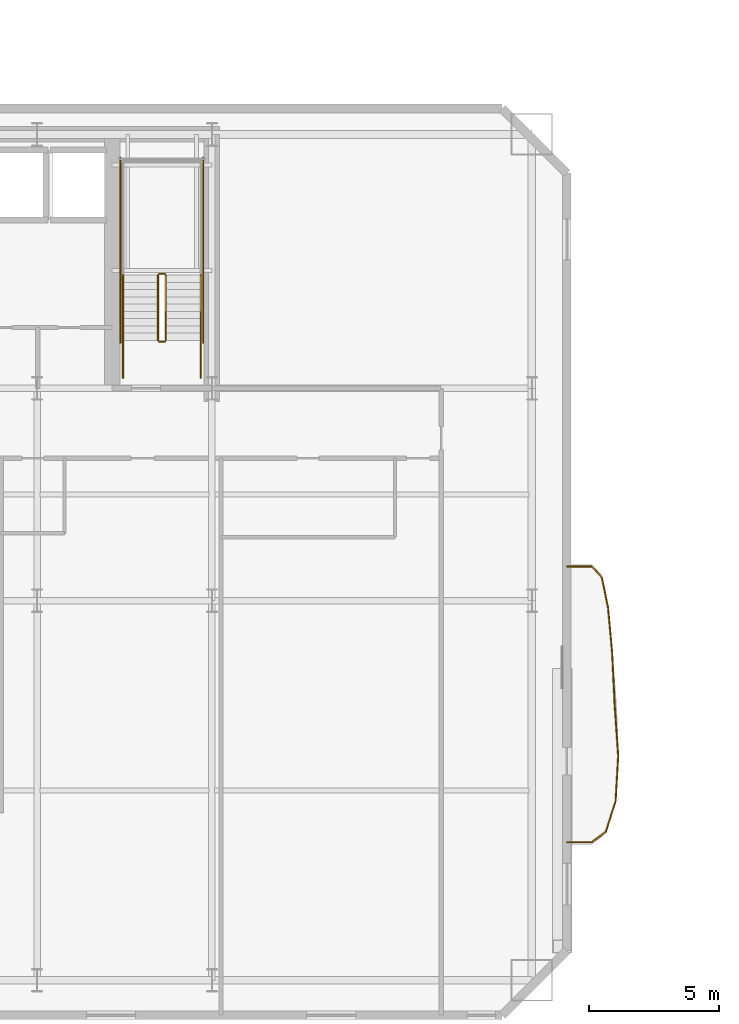
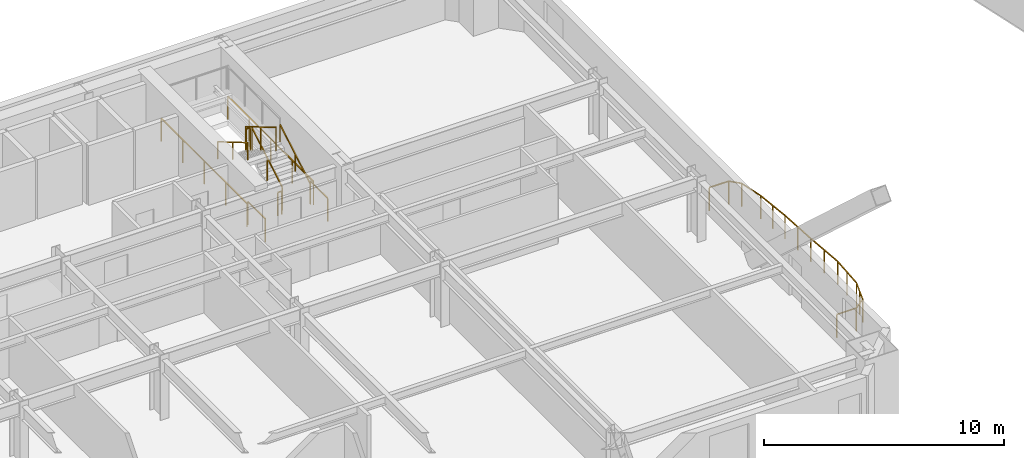
# One storey, part 13 of 17: 20 railings.
"""IFC4 building model written with IfcOpenShell, lengths in metres."""

from ifc_helpers import new_model, si_unit, direction, frame, origin, origin_2d, place, context, subcontext, project, spatial, rectangle, extrude, material, type_object, element, save


model = new_model("IFC4")

# Units and contexts
model_context = context("Model", 3, precision=1e-05, world=origin(), true_north=direction((0.0, 1.0)))
body_context = subcontext(model_context, "Body", "Model", "MODEL_VIEW")
ifc_project = project(units=[si_unit("LENGTHUNIT", "METRE"), si_unit("AREAUNIT", "SQUARE_METRE"), si_unit("VOLUMEUNIT", "CUBIC_METRE"), si_unit("PLANEANGLEUNIT", "RADIAN"), si_unit("MASSUNIT", "GRAM", prefix="KILO")], contexts=[model_context])

# Site, building, storey
site_placement = place(None, origin())
site = spatial("IfcSite", under=ifc_project, at=site_placement, CompositionType="ELEMENT")
building_placement = place(site_placement, origin())
building = spatial("IfcBuilding", under=site, at=building_placement, Name="Haevon Station Towers", CompositionType="ELEMENT")
storey_placement = place(building_placement, frame((0.0, 0.0, 40.5)))
storey = spatial("IfcBuildingStorey", under=building, at=storey_placement, Name="L09", CompositionType="ELEMENT", Elevation=40.5)

# Railings
ifc_material = material(Name="Steel S355", Category="steel")
railing_type_1 = type_object("IfcRailingType", Name="GRD-EXT1200", PredefinedType="GUARDRAIL", material=ifc_material)
railing_1_placement = place(storey_placement, frame((64.723388671875, 20.677978515625, 0.0)))
element("IfcRailing", 1, at=railing_1_placement, inside=storey, type_object=railing_type_1, Name="L09 Perimeter Guardrail 1", PredefinedType="GUARDRAIL", context=body_context, shape_type="SweptSolid", body=[
    extrude(rectangle(XDim=0.048095703125, YDim=0.048095703125, at=origin_2d()), frame((0.0, 0.0, 1.17578125), z_axis=(0.999997857851, 0.002069853263, 0.0), x_axis=(-0.002069853263, 0.999997857851, 0.0)), (0.0, 0.0, 1.0), 0.943603515625),
    extrude(rectangle(XDim=0.0419921875, YDim=0.0419921875, at=origin_2d()), origin(), (0.0, 0.0, 1.0), 1.15185546875),
    extrude(rectangle(XDim=0.0419921875, YDim=0.0419921875, at=origin_2d()), frame((0.943603515625, 0.001953125, 0.0)), (0.0, 0.0, 1.0), 1.15185546875),
])
railing_2_placement = place(storey_placement, frame((65.6669921875, 20.679931640625, 0.0)))
element("IfcRailing", 2, at=railing_2_placement, inside=storey, type_object=railing_type_1, Name="L09 Perimeter Guardrail 2", PredefinedType="GUARDRAIL", context=body_context, shape_type="SweptSolid", body=[
    extrude(rectangle(XDim=0.048095703125, YDim=0.048095703125, at=origin_2d()), frame((0.0, 0.0, 1.17578125), z_axis=(0.798409676693, 0.602114597201, 0.0), x_axis=(-0.602114597201, 0.798409676693, 0.0)), (0.0, 0.0, 1.0), 0.682861328125),
    extrude(rectangle(XDim=0.0419921875, YDim=0.0419921875, at=origin_2d()), origin(), (0.0, 0.0, 1.0), 1.15185546875),
    extrude(rectangle(XDim=0.0419921875, YDim=0.0419921875, at=origin_2d()), frame((0.545166015625, 0.4111328125, 0.0)), (0.0, 0.0, 1.0), 1.15185546875),
])
railing_3_placement = place(storey_placement, frame((66.212158203125, 21.091064453125, 0.0)))
element("IfcRailing", 3, at=railing_3_placement, inside=storey, type_object=railing_type_1, Name="L09 Perimeter Guardrail 3", PredefinedType="GUARDRAIL", context=body_context, shape_type="SweptSolid", body=[
    extrude(rectangle(XDim=0.048095703125, YDim=0.048095703125, at=origin_2d()), frame((0.0, 0.0, 1.17578125), z_axis=(0.303187234273, 0.952931005359, 0.0), x_axis=(-0.952931005359, 0.303187234273, 0.0)), (0.0, 0.0, 1.0), 1.227294921875),
    extrude(rectangle(XDim=0.0419921875, YDim=0.0419921875, at=origin_2d()), origin(), (0.0, 0.0, 1.0), 1.15185546875),
    extrude(rectangle(XDim=0.0419921875, YDim=0.0419921875, at=origin_2d()), frame((0.18603515625, 0.584716796875, 0.0)), (0.0, 0.0, 1.0), 1.15185546875),
    extrude(rectangle(XDim=0.0419921875, YDim=0.0419921875, at=origin_2d()), frame((0.3720703125, 1.16943359375, 0.0)), (0.0, 0.0, 1.0), 1.15185546875),
])
railing_4_placement = place(storey_placement, frame((66.584228515625, 22.260498046875, 0.0)))
element("IfcRailing", 4, at=railing_4_placement, inside=storey, type_object=railing_type_1, Name="L09 Perimeter Guardrail 4", PredefinedType="GUARDRAIL", context=body_context, shape_type="SweptSolid", body=[
    extrude(rectangle(XDim=0.048095703125, YDim=0.048095703125, at=origin_2d()), frame((0.0, 0.0, 1.17578125), z_axis=(0.057716779897, 0.99833299721, 0.0), x_axis=(-0.99833299721, 0.057716779897, 0.0)), (0.0, 0.0, 1.0), 1.751220703125),
    extrude(rectangle(XDim=0.0419921875, YDim=0.0419921875, at=origin_2d()), origin(), (0.0, 0.0, 1.0), 1.15185546875),
    extrude(rectangle(XDim=0.0419921875, YDim=0.0419921875, at=origin_2d()), frame((0.050537109375, 0.8740234375, 0.0)), (0.0, 0.0, 1.0), 1.15185546875),
    extrude(rectangle(XDim=0.0419921875, YDim=0.0419921875, at=origin_2d()), frame((0.10107421875, 1.748291015625, 0.0)), (0.0, 0.0, 1.0), 1.15185546875),
])
railing_5_placement = place(storey_placement, frame((66.685302734375, 24.0087890625, 0.0)))
element("IfcRailing", 5, at=railing_5_placement, inside=storey, type_object=railing_type_1, Name="L09 Perimeter Guardrail 5", PredefinedType="GUARDRAIL", context=body_context, shape_type="SweptSolid", body=[
    extrude(rectangle(XDim=0.048095703125, YDim=0.048095703125, at=origin_2d()), frame((0.0, 0.0, 1.17578125), z_axis=(-0.069960576388, 0.99754975703, 0.0), x_axis=(-0.99754975703, -0.069960576388, 0.0)), (0.0, 0.0, 1.0), 1.99609375),
    extrude(rectangle(XDim=0.0419921875, YDim=0.0419921875, at=origin_2d()), origin(), (0.0, 0.0, 1.0), 1.15185546875),
    extrude(rectangle(XDim=0.0419921875, YDim=0.0419921875, at=origin_2d()), frame((-0.06982421875, 0.99560546875, 0.0)), (0.0, 0.0, 1.0), 1.15185546875),
    extrude(rectangle(XDim=0.0419921875, YDim=0.0419921875, at=origin_2d()), frame((-0.1396484375, 1.9912109375, 0.0)), (0.0, 0.0, 1.0), 1.15185546875),
])
railing_6_placement = place(storey_placement, frame((66.545654296875, 26.0, 0.0)))
element("IfcRailing", 6, at=railing_6_placement, inside=storey, type_object=railing_type_1, Name="L09 Perimeter Guardrail 6", PredefinedType="GUARDRAIL", context=body_context, shape_type="SweptSolid", body=[
    extrude(rectangle(XDim=0.048095703125, YDim=0.048095703125, at=origin_2d()), frame((0.0, 0.0, 1.17578125), z_axis=(-0.047454457012, 0.998873402644, 0.0), x_axis=(-0.998873402644, -0.047454457012, 0.0)), (0.0, 0.0, 1.0), 1.990966796875),
    extrude(rectangle(XDim=0.0419921875, YDim=0.0419921875, at=origin_2d()), origin(), (0.0, 0.0, 1.0), 1.15185546875),
    extrude(rectangle(XDim=0.0419921875, YDim=0.0419921875, at=origin_2d()), frame((-0.04736328125, 0.994384765625, 0.0)), (0.0, 0.0, 1.0), 1.15185546875),
    extrude(rectangle(XDim=0.0419921875, YDim=0.0419921875, at=origin_2d()), frame((-0.094482421875, 1.98876953125, 0.0)), (0.0, 0.0, 1.0), 1.15185546875),
])
railing_7_placement = place(storey_placement, frame((66.451171875, 27.98876953125, 0.0)))
element("IfcRailing", 7, at=railing_7_placement, inside=storey, type_object=railing_type_1, Name="L09 Perimeter Guardrail 7", PredefinedType="GUARDRAIL", context=body_context, shape_type="SweptSolid", body=[
    extrude(rectangle(XDim=0.048095703125, YDim=0.048095703125, at=origin_2d()), frame((0.0, 0.0, 1.17578125), z_axis=(-0.090310252801, 0.995913680114, 0.0), x_axis=(-0.995913680114, -0.090310252801, 0.0)), (0.0, 0.0, 1.0), 1.757080078125),
    extrude(rectangle(XDim=0.0419921875, YDim=0.0419921875, at=origin_2d()), origin(), (0.0, 0.0, 1.0), 1.15185546875),
    extrude(rectangle(XDim=0.0419921875, YDim=0.0419921875, at=origin_2d()), frame((-0.079345703125, 0.875, 0.0)), (0.0, 0.0, 1.0), 1.15185546875),
    extrude(rectangle(XDim=0.0419921875, YDim=0.0419921875, at=origin_2d()), frame((-0.15869140625, 1.75, 0.0)), (0.0, 0.0, 1.0), 1.15185546875),
])
railing_8_placement = place(storey_placement, frame((66.29248046875, 29.73876953125, 0.0)))
element("IfcRailing", 8, at=railing_8_placement, inside=storey, type_object=railing_type_1, Name="L09 Perimeter Guardrail 8", PredefinedType="GUARDRAIL", context=body_context, shape_type="SweptSolid", body=[
    extrude(rectangle(XDim=0.048095703125, YDim=0.048095703125, at=origin_2d()), frame((0.0, 0.0, 1.17578125), z_axis=(-0.201497232752, 0.979489083754, 0.0), x_axis=(-0.979489083754, -0.201497232752, 0.0)), (0.0, 0.0, 1.0), 1.194580078125),
    extrude(rectangle(XDim=0.0419921875, YDim=0.0419921875, at=origin_2d()), origin(), (0.0, 0.0, 1.0), 1.15185546875),
    extrude(rectangle(XDim=0.0419921875, YDim=0.0419921875, at=origin_2d()), frame((-0.24072265625, 1.170166015625, 0.0)), (0.0, 0.0, 1.0), 1.15185546875),
])
railing_9_placement = place(storey_placement, frame((66.0517578125, 30.908935546875, 0.0)))
element("IfcRailing", 9, at=railing_9_placement, inside=storey, type_object=railing_type_1, Name="L09 Perimeter Guardrail 9", PredefinedType="GUARDRAIL", context=body_context, shape_type="SweptSolid", body=[
    extrude(rectangle(XDim=0.048095703125, YDim=0.048095703125, at=origin_2d()), frame((0.0, 0.0, 1.17578125), z_axis=(-0.683306289544, 0.730131847456, 0.0), x_axis=(-0.730131847456, -0.683306289544, 0.0)), (0.0, 0.0, 1.0), 0.56298828125),
    extrude(rectangle(XDim=0.0419921875, YDim=0.0419921875, at=origin_2d()), origin(), (0.0, 0.0, 1.0), 1.15185546875),
    extrude(rectangle(XDim=0.0419921875, YDim=0.0419921875, at=origin_2d()), frame((-0.384765625, 0.4111328125, 0.0)), (0.0, 0.0, 1.0), 1.15185546875),
])
railing_10_placement = place(storey_placement, frame((65.6669921875, 31.320068359375, 0.0)))
element("IfcRailing", 10, at=railing_10_placement, inside=storey, type_object=railing_type_1, Name="L09 Perimeter Guardrail 10", PredefinedType="GUARDRAIL", context=body_context, shape_type="SweptSolid", body=[
    extrude(rectangle(XDim=0.048095703125, YDim=0.048095703125, at=origin_2d()), frame((0.0, 0.0, 1.17578125), z_axis=(-0.999997857851, 0.002069853263, 0.0), x_axis=(-0.002069853263, -0.999997857851, 0.0)), (0.0, 0.0, 1.0), 0.943603515625),
    extrude(rectangle(XDim=0.0419921875, YDim=0.0419921875, at=origin_2d()), origin(), (0.0, 0.0, 1.0), 1.15185546875),
    extrude(rectangle(XDim=0.0419921875, YDim=0.0419921875, at=origin_2d()), frame((-0.943603515625, 0.001953125, 0.0)), (0.0, 0.0, 1.0), 1.15185546875),
])
railing_type_2 = type_object("IfcRailingType", Name="GRD-STR1200", PredefinedType="GUARDRAIL", material=ifc_material)
railing_11_placement = place(storey_placement, frame((49.219970703125, 40.050048828125, 0.1650390625)))
element("IfcRailing", 11, at=railing_11_placement, inside=storey, type_object=railing_type_2, Name="L09 ST2 Stair Guard 1", PredefinedType="GUARDRAIL", context=body_context, shape_type="SweptSolid", body=[
    extrude(rectangle(XDim=0.048095703125, YDim=0.048095703125, at=origin_2d()), frame((0.0, 0.0, 1.17578125), z_axis=(0.0, 0.861560626758, 0.507654692109), x_axis=(-1.0, 0.0, 0.0)), (0.0, 0.0, 1.0), 2.925048828125),
    extrude(rectangle(XDim=0.0419921875, YDim=0.0419921875, at=origin_2d()), origin(), (0.0, 0.0, 1.0), 1.15185546875),
    extrude(rectangle(XDim=0.0419921875, YDim=0.0419921875, at=origin_2d()), frame((0.0, 1.260009765625, 0.742431640625)), (0.0, 0.0, 1.0), 1.15185546875),
    extrude(rectangle(XDim=0.0419921875, YDim=0.0419921875, at=origin_2d()), frame((0.0, 2.52001953125, 1.48486328125)), (0.0, 0.0, 1.0), 1.15185546875),
])
railing_12_placement = place(storey_placement, frame((49.169921875, 42.6201171875, 1.64990234375)))
element("IfcRailing", 12, at=railing_12_placement, inside=storey, type_object=railing_type_2, Name="L09 ST2 Stair Guard 2", PredefinedType="GUARDRAIL", context=body_context, shape_type="SweptSolid", body=[
    extrude(rectangle(XDim=0.048095703125, YDim=0.048095703125, at=origin_2d()), frame((0.0, 0.0, 1.17578125), z_axis=(-1.0, 0.0, 0.0), x_axis=(0.0, -1.0, 0.0)), (0.0, 0.0, 1.0), 0.199951171875),
    extrude(rectangle(XDim=0.0419921875, YDim=0.0419921875, at=origin_2d()), origin(), (0.0, 0.0, 1.0), 1.15185546875),
    extrude(rectangle(XDim=0.0419921875, YDim=0.0419921875, at=origin_2d()), frame((-0.199951171875, 0.0, 0.0)), (0.0, 0.0, 1.0), 1.15185546875),
])
railing_13_placement = place(storey_placement, frame((48.919921875, 42.570068359375, 1.81494140625)))
element("IfcRailing", 13, at=railing_13_placement, inside=storey, type_object=railing_type_2, Name="L09 ST2 Stair Guard 6", PredefinedType="GUARDRAIL", context=body_context, shape_type="SweptSolid", body=[
    extrude(rectangle(XDim=0.048095703125, YDim=0.048095703125, at=origin_2d()), frame((0.0, 0.0, 1.17578125), z_axis=(0.0, -0.86152411907, 0.507716645641), x_axis=(1.0, 0.0, 0.0)), (0.0, 0.0, 1.0), 2.925048828125),
    extrude(rectangle(XDim=0.0419921875, YDim=0.0419921875, at=origin_2d()), origin(), (0.0, 0.0, 1.0), 1.15185546875),
    extrude(rectangle(XDim=0.0419921875, YDim=0.0419921875, at=origin_2d()), frame((0.0, -1.260009765625, 0.74267578125)), (0.0, 0.0, 1.0), 1.15185546875),
    extrude(rectangle(XDim=0.0419921875, YDim=0.0419921875, at=origin_2d()), frame((0.0, -2.52001953125, 1.485107421875)), (0.0, 0.0, 1.0), 1.15185546875),
])
railing_14_placement = place(storey_placement, frame((49.169921875, 40.0, 0.0)))
element("IfcRailing", 14, at=railing_14_placement, inside=storey, type_object=railing_type_2, Name="L09 ST2 Stair Guard 7", PredefinedType="GUARDRAIL", context=body_context, shape_type="SweptSolid", body=[
    extrude(rectangle(XDim=0.048095703125, YDim=0.048095703125, at=origin_2d()), frame((0.0, 0.0, 1.17578125), z_axis=(-1.0, 0.0, 0.0), x_axis=(0.0, -1.0, 0.0)), (0.0, 0.0, 1.0), 0.199951171875),
    extrude(rectangle(XDim=0.0419921875, YDim=0.0419921875, at=origin_2d()), origin(), (0.0, 0.0, 1.0), 1.15185546875),
    extrude(rectangle(XDim=0.0419921875, YDim=0.0419921875, at=origin_2d()), frame((-0.199951171875, 0.0, 0.0)), (0.0, 0.0, 1.0), 1.15185546875),
])
for number, where, name in (
    (15, (50.570068359375, 38.60009765625, 0.0), "L09 ST2 Stair Guard 8"),
    (16, (47.570068359375, 38.60009765625, 0.0), "L09 ST2 Stair Guard 9"),
):
    element("IfcRailing", number, at=place(storey_placement, frame(where)), inside=storey, type_object=railing_type_2, Name=name, PredefinedType="GUARDRAIL", context=body_context, shape_type="SweptSolid", body=[
        extrude(rectangle(XDim=0.048095703125, YDim=0.048095703125, at=origin_2d()), frame((0.0, 0.0, 1.17578125), z_axis=(0.0, 1.0, 0.0), x_axis=(-1.0, 0.0, 0.0)), (0.0, 0.0, 1.0), 1.449951171875),
        extrude(rectangle(XDim=0.0419921875, YDim=0.0419921875, at=origin_2d()), origin(), (0.0, 0.0, 1.0), 1.15185546875),
        extrude(rectangle(XDim=0.0419921875, YDim=0.0419921875, at=origin_2d()), frame((0.0, 1.449951171875, 0.0)), (0.0, 0.0, 1.0), 1.15185546875),
    ])
for number, where, name in (
    (17, (50.669921875, 39.949951171875, 0.0), "L09 ST2 Stair Guard 10"),
    (18, (47.469970703125, 39.949951171875, 0.0), "L09 ST2 Stair Guard 11"),
):
    element("IfcRailing", number, at=place(storey_placement, frame(where)), inside=storey, type_object=railing_type_2, Name=name, PredefinedType="GUARDRAIL", context=body_context, shape_type="SweptSolid", body=[
        extrude(rectangle(XDim=0.048095703125, YDim=0.048095703125, at=origin_2d()), frame((0.0, 0.0, 1.17578125), z_axis=(0.0, 1.0, 0.0), x_axis=(-1.0, 0.0, 0.0)), (0.0, 0.0, 1.0), 7.150146484375),
        extrude(rectangle(XDim=0.0419921875, YDim=0.0419921875, at=origin_2d()), origin(), (0.0, 0.0, 1.0), 1.15185546875),
        extrude(rectangle(XDim=0.0419921875, YDim=0.0419921875, at=origin_2d()), frame((0.0, 1.78759765625, 0.0)), (0.0, 0.0, 1.0), 1.15185546875),
        extrude(rectangle(XDim=0.0419921875, YDim=0.0419921875, at=origin_2d()), frame((0.0, 3.5751953125, 0.0)), (0.0, 0.0, 1.0), 1.15185546875),
        extrude(rectangle(XDim=0.0419921875, YDim=0.0419921875, at=origin_2d()), frame((0.0, 5.362548828125, 0.0)), (0.0, 0.0, 1.0), 1.15185546875),
        extrude(rectangle(XDim=0.0419921875, YDim=0.0419921875, at=origin_2d()), frame((0.0, 7.150146484375, 0.0)), (0.0, 0.0, 1.0), 1.15185546875),
    ])
railing_type_3 = type_object("IfcRailingType", Name="HND-STR900", PredefinedType="HANDRAIL", material=ifc_material)
railing_15_placement = place(storey_placement, frame((50.570068359375, 40.050048828125, 0.1650390625)))
element("IfcRailing", 19, at=railing_15_placement, inside=storey, type_object=railing_type_3, Name="L09 ST2 Stair Handrail 1", PredefinedType="HANDRAIL", context=body_context, shape_type="SweptSolid", body=[
    extrude(rectangle(XDim=0.048095703125, YDim=0.048095703125, at=origin_2d()), frame((0.0, 0.0, 0.8759765625), z_axis=(0.0, 0.861560626758, 0.507654692109), x_axis=(-1.0, 0.0, 0.0)), (0.0, 0.0, 1.0), 2.925048828125),
    extrude(rectangle(XDim=0.0419921875, YDim=0.0419921875, at=origin_2d()), origin(), (0.0, 0.0, 1.0), 0.851806640625),
    extrude(rectangle(XDim=0.0419921875, YDim=0.0419921875, at=origin_2d()), frame((0.0, 1.260009765625, 0.742431640625)), (0.0, 0.0, 1.0), 0.851806640625),
    extrude(rectangle(XDim=0.0419921875, YDim=0.0419921875, at=origin_2d()), frame((0.0, 2.52001953125, 1.48486328125)), (0.0, 0.0, 1.0), 0.851806640625),
])
railing_16_placement = place(storey_placement, frame((47.570068359375, 42.570068359375, 1.81494140625)))
element("IfcRailing", 20, at=railing_16_placement, inside=storey, type_object=railing_type_3, Name="L09 ST2 Stair Handrail 2", PredefinedType="HANDRAIL", context=body_context, shape_type="SweptSolid", body=[
    extrude(rectangle(XDim=0.048095703125, YDim=0.048095703125, at=origin_2d()), frame((0.0, 0.0, 0.8759765625), z_axis=(0.0, -0.86152411907, 0.507716645641), x_axis=(1.0, 0.0, 0.0)), (0.0, 0.0, 1.0), 2.925048828125),
    extrude(rectangle(XDim=0.0419921875, YDim=0.0419921875, at=origin_2d()), origin(), (0.0, 0.0, 1.0), 0.851806640625),
    extrude(rectangle(XDim=0.0419921875, YDim=0.0419921875, at=origin_2d()), frame((0.0, -1.260009765625, 0.74267578125)), (0.0, 0.0, 1.0), 0.851806640625),
    extrude(rectangle(XDim=0.0419921875, YDim=0.0419921875, at=origin_2d()), frame((0.0, -2.52001953125, 1.485107421875)), (0.0, 0.0, 1.0), 0.851806640625),
])

save(model, "model.ifc")
